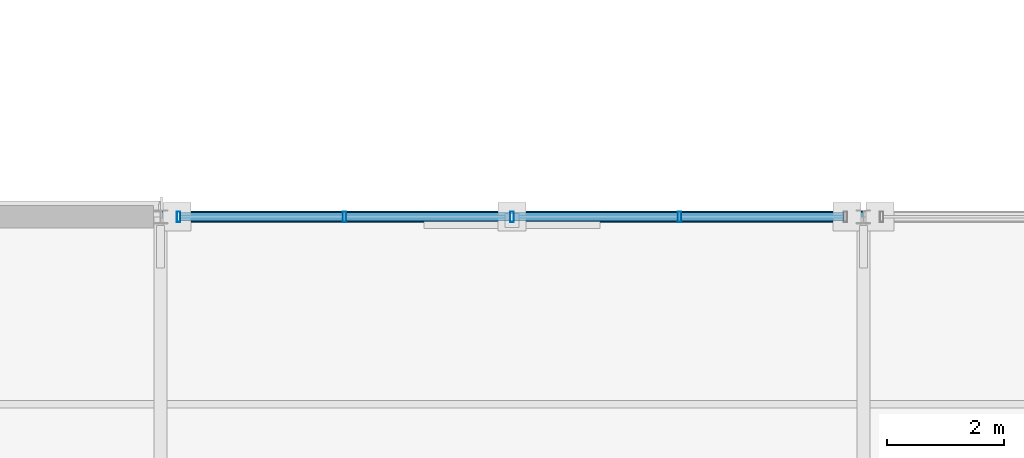
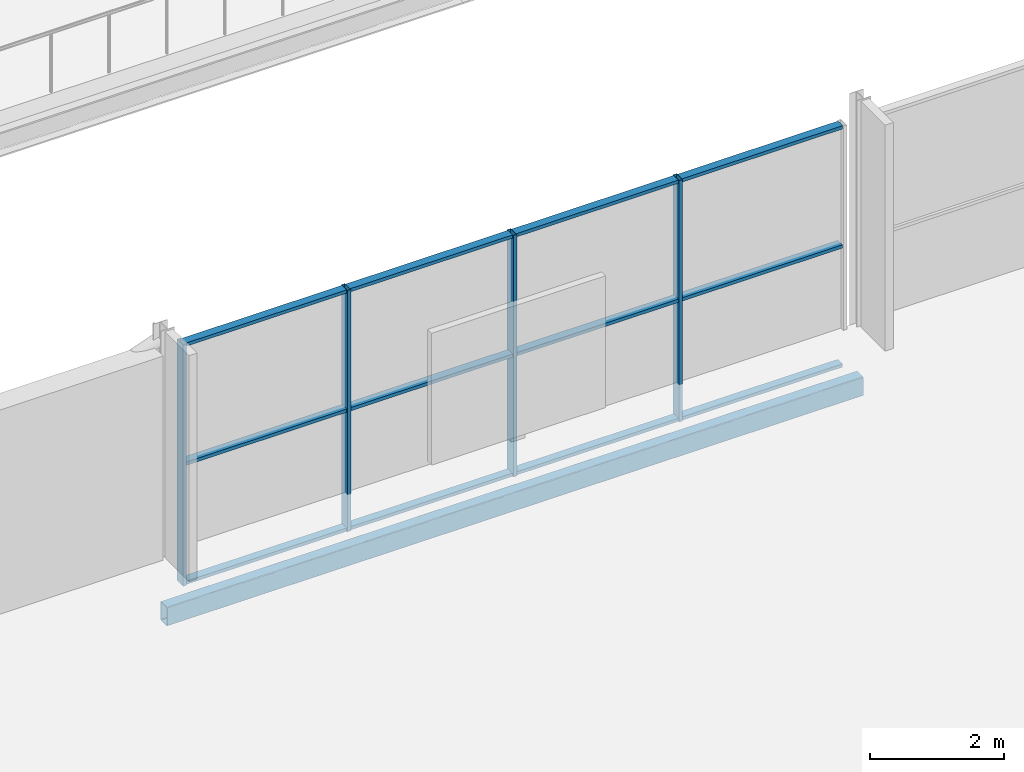
# One storey, part 50 of 159: 16 members, 1 beam, 1 element without a shape of its own.
"""IFC4 building model written with IfcOpenShell, lengths in metres."""

from ifc_helpers import new_model, si_unit, direction, frame, origin, origin_2d, place, context, subcontext, project, spatial, hollow_rectangle, extrude, material, material_profile, profile_set, type_object, element, aggregate, save


model = new_model("IFC4")

# Units and contexts
model_context = context("Model", 3, precision=1e-05, world=origin(), true_north=direction((0.0, 1.0)))
body_context = subcontext(model_context, "Body", "Model", "MODEL_VIEW")
ifc_project = project(units=[si_unit("LENGTHUNIT", "METRE"), si_unit("AREAUNIT", "SQUARE_METRE"), si_unit("VOLUMEUNIT", "CUBIC_METRE"), si_unit("PLANEANGLEUNIT", "RADIAN"), si_unit("MASSUNIT", "GRAM", prefix="KILO")], contexts=[model_context])

# Site, building, storey
site_placement = place(None, origin())
site = spatial("IfcSite", under=ifc_project, at=site_placement, CompositionType="ELEMENT")
building_placement = place(site_placement, origin())
building = spatial("IfcBuilding", under=site, at=building_placement, Name="Merenkruunu Market Hall", CompositionType="ELEMENT")
storey_placement = place(building_placement, frame((0.0, 0.0, 5.39990234375)))
storey = spatial("IfcBuildingStorey", under=building, at=storey_placement, Name="L01", CompositionType="ELEMENT", Elevation=5.39990234375)

# Curtain wall, members
ifc_material_1 = material(Name="Powder-coated aluminium", Category="aluminium")
curtain_wall_type = type_object("IfcCurtainWallType", Name="Glazed Curtain Wall CW02", PredefinedType="USERDEFINED", material=ifc_material_1)
curtain_wall_placement = place(storey_placement, origin())
curtain_wall = element("IfcCurtainWall", 1, at=curtain_wall_placement, inside=storey, type_object=curtain_wall_type, Name="CW-L01-CWM02-187", ObjectType="GLAZED_FACADE", PredefinedType="USERDEFINED")
ifc_material_profile_1 = material_profile(ifc_material_1, hollow_rectangle(XDim=0.06005859375, YDim=0.179931640625, WallThickness=0.00390625, at=origin_2d()), Name="ALU 60x180x4")
ifc_profile_set_1 = profile_set([ifc_material_profile_1], Name="Powder-coated aluminium")
member_type_1 = type_object("IfcMemberType", Name="Curtain Wall Mullion CWM02", PredefinedType="MULLION", material=ifc_profile_set_1)
member_1_placement = place(storey_placement, frame((109.659912109375, 15.60009765625, 0.0), z_axis=(0.0, 0.0, 1.0), x_axis=(-1.0, 0.0, 0.0)))
member_1 = element("IfcMember", 2, at=member_1_placement, type_object=member_type_1, Name="CW02 mullion 2", PredefinedType="MULLION", context=body_context, shape_type="SweptSolid", body=[
    extrude(hollow_rectangle(XDim=0.06005859375, YDim=0.179931640625, WallThickness=0.00390625, at=origin_2d()), origin(), (0.0, 0.0, 1.0), 4.400146484375),
])
member_2_placement = place(storey_placement, frame((106.800048828125, 15.60009765625, 0.0), z_axis=(0.0, 0.0, 1.0), x_axis=(-1.0, 0.0, 0.0)))
member_2 = element("IfcMember", 3, at=member_2_placement, type_object=member_type_1, Name="CW02 mullion 3", PredefinedType="MULLION", context=body_context, shape_type="SweptSolid", body=[
    extrude(hollow_rectangle(XDim=0.06005859375, YDim=0.179931640625, WallThickness=0.00390625, at=origin_2d()), origin(), (0.0, 0.0, 1.0), 4.400146484375),
])
member_3_placement = place(storey_placement, frame((103.93994140625, 15.60009765625, 0.0), z_axis=(0.0, 0.0, 1.0), x_axis=(-1.0, 0.0, 0.0)))
member_3 = element("IfcMember", 4, at=member_3_placement, type_object=member_type_1, Name="CW02 mullion 4", PredefinedType="MULLION", context=body_context, shape_type="SweptSolid", body=[
    extrude(hollow_rectangle(XDim=0.06005859375, YDim=0.179931640625, WallThickness=0.00390625, at=origin_2d()), origin(), (0.0, 0.0, 1.0), 4.400146484375),
])
member_4_placement = place(storey_placement, frame((101.110107421875, 15.60009765625, 0.0), z_axis=(0.0, 0.0, 1.0), x_axis=(-1.0, 0.0, 0.0)))
member_4 = element("IfcMember", 5, at=member_4_placement, type_object=member_type_1, Name="CW02 mullion 5", PredefinedType="MULLION", context=body_context, shape_type="SweptSolid", body=[
    extrude(hollow_rectangle(XDim=0.06005859375, YDim=0.179931640625, WallThickness=0.00390625, at=origin_2d()), origin(), (0.0, 0.0, 1.0), 4.400146484375),
])
ifc_material_profile_2 = material_profile(ifc_material_1, hollow_rectangle(XDim=0.06005859375, YDim=0.139892578125, WallThickness=0.00390625, at=origin_2d()), Name="ALU 60x140x4")
ifc_profile_set_2 = profile_set([ifc_material_profile_2], Name="Powder-coated aluminium")
member_type_2 = type_object("IfcMemberType", Name="Curtain Wall Transom CWT02", PredefinedType="USERDEFINED", material=ifc_profile_set_2)
member_5_placement = place(storey_placement, frame((112.4599609375, 15.60009765625, 0.030029296875), z_axis=(-1.0, 0.0, 0.0), x_axis=(0.0, 0.0, 1.0)))
member_5 = element("IfcMember", 6, at=member_5_placement, type_object=member_type_2, Name="CW02 transom 1.1", ObjectType="TRANSOM", PredefinedType="USERDEFINED", context=body_context, shape_type="SweptSolid", body=[
    extrude(hollow_rectangle(XDim=0.06005859375, YDim=0.139892578125, WallThickness=0.00390625, at=origin_2d()), origin(), (0.0, 0.0, 1.0), 2.77001953125),
])
member_6_placement = place(storey_placement, frame((112.4599609375, 15.60009765625, 2.2001953125), z_axis=(-1.0, 0.0, 0.0), x_axis=(0.0, 0.0, 1.0)))
member_6 = element("IfcMember", 7, at=member_6_placement, type_object=member_type_2, Name="CW02 transom 1.2", ObjectType="TRANSOM", PredefinedType="USERDEFINED", context=body_context, shape_type="SweptSolid", body=[
    extrude(hollow_rectangle(XDim=0.06005859375, YDim=0.139892578125, WallThickness=0.00390625, at=origin_2d()), origin(), (0.0, 0.0, 1.0), 2.77001953125),
])
member_7_placement = place(storey_placement, frame((112.4599609375, 15.60009765625, 4.3701171875), z_axis=(-1.0, 0.0, 0.0), x_axis=(0.0, 0.0, 1.0)))
member_7 = element("IfcMember", 8, at=member_7_placement, type_object=member_type_2, Name="CW02 transom 1.3", ObjectType="TRANSOM", PredefinedType="USERDEFINED", context=body_context, shape_type="SweptSolid", body=[
    extrude(hollow_rectangle(XDim=0.06005859375, YDim=0.139892578125, WallThickness=0.00390625, at=origin_2d()), origin(), (0.0, 0.0, 1.0), 2.77001953125),
])
member_8_placement = place(storey_placement, frame((109.6298828125, 15.60009765625, 0.030029296875), z_axis=(-1.0, 0.0, 0.0), x_axis=(0.0, 0.0, 1.0)))
member_8 = element("IfcMember", 9, at=member_8_placement, type_object=member_type_2, Name="CW02 transom 2.1", ObjectType="TRANSOM", PredefinedType="USERDEFINED", context=body_context, shape_type="SweptSolid", body=[
    extrude(hollow_rectangle(XDim=0.06005859375, YDim=0.139892578125, WallThickness=0.00390625, at=origin_2d()), origin(), (0.0, 0.0, 1.0), 2.7998046875),
])
member_9_placement = place(storey_placement, frame((109.6298828125, 15.60009765625, 2.2001953125), z_axis=(-1.0, 0.0, 0.0), x_axis=(0.0, 0.0, 1.0)))
member_9 = element("IfcMember", 10, at=member_9_placement, type_object=member_type_2, Name="CW02 transom 2.2", ObjectType="TRANSOM", PredefinedType="USERDEFINED", context=body_context, shape_type="SweptSolid", body=[
    extrude(hollow_rectangle(XDim=0.06005859375, YDim=0.139892578125, WallThickness=0.00390625, at=origin_2d()), origin(), (0.0, 0.0, 1.0), 2.7998046875),
])
member_10_placement = place(storey_placement, frame((109.6298828125, 15.60009765625, 4.3701171875), z_axis=(-1.0, 0.0, 0.0), x_axis=(0.0, 0.0, 1.0)))
member_10 = element("IfcMember", 11, at=member_10_placement, type_object=member_type_2, Name="CW02 transom 2.3", ObjectType="TRANSOM", PredefinedType="USERDEFINED", context=body_context, shape_type="SweptSolid", body=[
    extrude(hollow_rectangle(XDim=0.06005859375, YDim=0.139892578125, WallThickness=0.00390625, at=origin_2d()), origin(), (0.0, 0.0, 1.0), 2.7998046875),
])
member_11_placement = place(storey_placement, frame((106.77001953125, 15.60009765625, 0.030029296875), z_axis=(-1.0, 0.0, 0.0), x_axis=(0.0, 0.0, 1.0)))
member_11 = element("IfcMember", 12, at=member_11_placement, type_object=member_type_2, Name="CW02 transom 3.1", ObjectType="TRANSOM", PredefinedType="USERDEFINED", context=body_context, shape_type="SweptSolid", body=[
    extrude(hollow_rectangle(XDim=0.06005859375, YDim=0.139892578125, WallThickness=0.00390625, at=origin_2d()), origin(), (0.0, 0.0, 1.0), 2.800048828125),
])
member_12_placement = place(storey_placement, frame((106.77001953125, 15.60009765625, 2.2001953125), z_axis=(-1.0, 0.0, 0.0), x_axis=(0.0, 0.0, 1.0)))
member_12 = element("IfcMember", 13, at=member_12_placement, type_object=member_type_2, Name="CW02 transom 3.2", ObjectType="TRANSOM", PredefinedType="USERDEFINED", context=body_context, shape_type="SweptSolid", body=[
    extrude(hollow_rectangle(XDim=0.06005859375, YDim=0.139892578125, WallThickness=0.00390625, at=origin_2d()), origin(), (0.0, 0.0, 1.0), 2.800048828125),
])
member_13_placement = place(storey_placement, frame((106.77001953125, 15.60009765625, 4.3701171875), z_axis=(-1.0, 0.0, 0.0), x_axis=(0.0, 0.0, 1.0)))
member_13 = element("IfcMember", 14, at=member_13_placement, type_object=member_type_2, Name="CW02 transom 3.3", ObjectType="TRANSOM", PredefinedType="USERDEFINED", context=body_context, shape_type="SweptSolid", body=[
    extrude(hollow_rectangle(XDim=0.06005859375, YDim=0.139892578125, WallThickness=0.00390625, at=origin_2d()), origin(), (0.0, 0.0, 1.0), 2.800048828125),
])
member_14_placement = place(storey_placement, frame((103.909912109375, 15.60009765625, 0.030029296875), z_axis=(-1.0, 0.0, 0.0), x_axis=(0.0, 0.0, 1.0)))
member_14 = element("IfcMember", 15, at=member_14_placement, type_object=member_type_2, Name="CW02 transom 4.1", ObjectType="TRANSOM", PredefinedType="USERDEFINED", context=body_context, shape_type="SweptSolid", body=[
    extrude(hollow_rectangle(XDim=0.06005859375, YDim=0.139892578125, WallThickness=0.00390625, at=origin_2d()), origin(), (0.0, 0.0, 1.0), 2.77001953125),
])
member_15_placement = place(storey_placement, frame((103.909912109375, 15.60009765625, 2.2001953125), z_axis=(-1.0, 0.0, 0.0), x_axis=(0.0, 0.0, 1.0)))
member_15 = element("IfcMember", 16, at=member_15_placement, type_object=member_type_2, Name="CW02 transom 4.2", ObjectType="TRANSOM", PredefinedType="USERDEFINED", context=body_context, shape_type="SweptSolid", body=[
    extrude(hollow_rectangle(XDim=0.06005859375, YDim=0.139892578125, WallThickness=0.00390625, at=origin_2d()), origin(), (0.0, 0.0, 1.0), 2.77001953125),
])
member_16_placement = place(storey_placement, frame((103.909912109375, 15.60009765625, 4.3701171875), z_axis=(-1.0, 0.0, 0.0), x_axis=(0.0, 0.0, 1.0)))
member_16 = element("IfcMember", 17, at=member_16_placement, type_object=member_type_2, Name="CW02 transom 4.3", ObjectType="TRANSOM", PredefinedType="USERDEFINED", context=body_context, shape_type="SweptSolid", body=[
    extrude(hollow_rectangle(XDim=0.06005859375, YDim=0.139892578125, WallThickness=0.00390625, at=origin_2d()), origin(), (0.0, 0.0, 1.0), 2.77001953125),
])
aggregate(curtain_wall, [member_1, member_2, member_3, member_4, member_5, member_6, member_7, member_8, member_9, member_10, member_11, member_12, member_13, member_14, member_15, member_16])

# Beam
ifc_material_2 = material(Name="Steel S355J2", Category="steel")
ifc_material_profile_3 = material_profile(ifc_material_2, hollow_rectangle(XDim=0.199951171875, YDim=0.35009765625, WallThickness=0.012451171875, InnerFilletRadius=0.012451171875, OuterFilletRadius=0.02490234375, at=origin_2d()), Name="RHS 350x200x12.5")
ifc_profile_set_3 = profile_set([ifc_material_profile_3], Name="Steel S355J2")
beam_type = type_object("IfcBeamType", Name="Perimeter Spandrel Beam SP02", PredefinedType="SPANDREL", material=ifc_profile_set_3)
beam_placement = place(storey_placement, frame((100.800048828125, 15.60009765625, -0.454833984375), z_axis=(1.0, 0.0, 0.0), x_axis=(0.0, 1.0, 0.0)))
element("IfcBeam", 18, at=beam_placement, inside=storey, type_object=beam_type, Name="BM-L01-SP02-1191", PredefinedType="SPANDREL", context=body_context, shape_type="SweptSolid", body=[
    extrude(hollow_rectangle(XDim=0.199951171875, YDim=0.35009765625, WallThickness=0.012451171875, InnerFilletRadius=0.012451171875, OuterFilletRadius=0.02490234375, at=origin_2d()), origin(), (0.0, 0.0, 1.0), 12.0),
])

save(model, "model.ifc")
